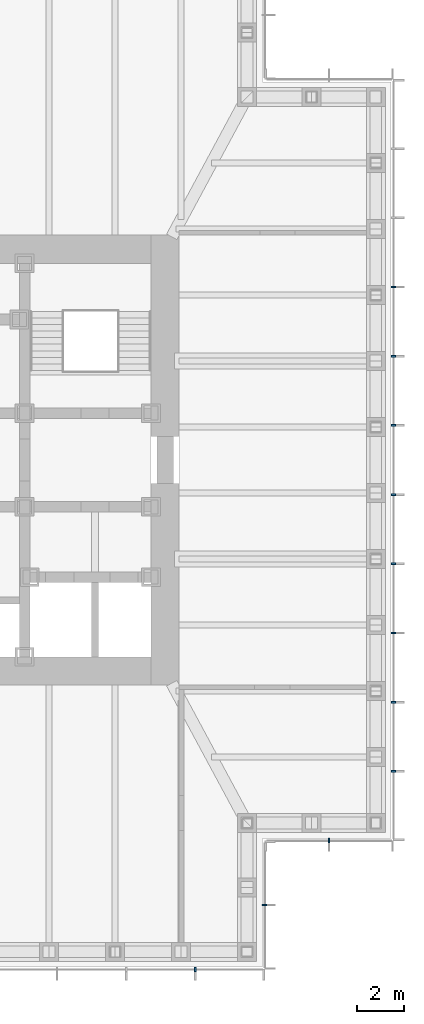
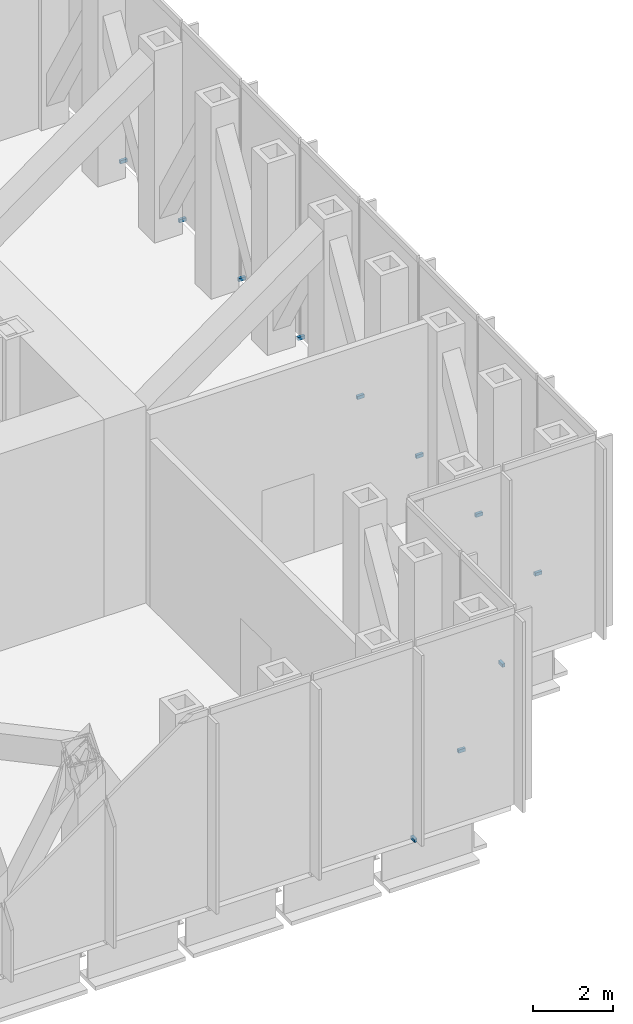
# One storey, part 10 of 12: 11 discrete accessories.
"""IFC4 building model written with IfcOpenShell, lengths in metres."""

from ifc_helpers import new_model, si_unit, direction, frame, origin, origin_2d, place, context, subcontext, project, spatial, rectangle, extrude, element, save


model = new_model("IFC4")

# Units and contexts
model_context = context("Model", 3, precision=1e-05, world=origin(), true_north=direction((0.0, 1.0)))
body_context = subcontext(model_context, "Body", "Model", "MODEL_VIEW")
ifc_project = project(units=[si_unit("LENGTHUNIT", "METRE"), si_unit("AREAUNIT", "SQUARE_METRE"), si_unit("VOLUMEUNIT", "CUBIC_METRE"), si_unit("PLANEANGLEUNIT", "RADIAN"), si_unit("MASSUNIT", "GRAM", prefix="KILO")], contexts=[model_context])

# Site, building, storey
site_placement = place(None, origin())
site = spatial("IfcSite", under=ifc_project, at=site_placement, CompositionType="ELEMENT")
building_placement = place(site_placement, origin())
building = spatial("IfcBuilding", under=site, at=building_placement, Name="Daluyong Arena Tower", CompositionType="ELEMENT")
storey_placement = place(building_placement, frame((0.0, 0.0, 244.300048828125)))
storey = spatial("IfcBuildingStorey", under=building, at=storey_placement, Name="L55", CompositionType="ELEMENT", Elevation=244.300048828125)

# Discrete accessories
for number, where, z_axis, x_axis, name in (
    (1, (69.29541015625, 58.25, -0.10009765625), (0.0, 0.0, 1.0), (1.0, 0.0, 0.0), "curtain wall L55 S anchor bracket 11"),
    (2, (72.25, 61.0, -0.10009765625), (0.0, 0.0, 1.0), (0.0, 1.0, 0.0), "curtain wall L55 SE-E anchor bracket 2"),
    (3, (75.0, 63.75, -0.10009765625), (0.0, 0.0, 1.0), (1.0, 0.0, 0.0), "curtain wall L55 SE-S anchor bracket 2"),
    (4, (77.75, 66.70458984375, -0.10009765625), (0.0, 0.0, 1.0), (0.0, 1.0, 0.0), "curtain wall L55 E anchor bracket 2"),
    (5, (77.75, 69.6591796875, -0.10009765625), (0.0, 0.0, 1.0), (0.0, 1.0, 0.0), "curtain wall L55 E anchor bracket 3"),
    (6, (77.75, 72.613525390625, -0.10009765625), (0.0, 0.0, 1.0), (0.0, 1.0, 0.0), "curtain wall L55 E anchor bracket 4"),
    (7, (77.75, 75.568115234375, -0.10009765625), (0.0, 0.0, 1.0), (0.0, 1.0, 0.0), "curtain wall L55 E anchor bracket 5"),
    (8, (77.75, 78.522705078125, -0.10009765625), (0.0, 0.0, 1.0), (0.0, 1.0, 0.0), "curtain wall L55 E anchor bracket 6"),
    (9, (77.75, 81.477294921875, -0.10009765625), (0.0, 0.0, 1.0), (0.0, 1.0, 0.0), "curtain wall L55 E anchor bracket 7"),
    (10, (77.75, 84.431884765625, -0.10009765625), (0.0, 0.0, 1.0), (0.0, 1.0, 0.0), "curtain wall L55 E anchor bracket 8"),
    (11, (77.75, 87.386474609375, -0.10009765625), (0.0, 0.0, 1.0), (0.0, 1.0, 0.0), "curtain wall L55 E anchor bracket 9"),
):
    element("IfcDiscreteAccessory", number, at=place(storey_placement, frame(where, z_axis=z_axis, x_axis=x_axis)), inside=storey, Name=name, PredefinedType="BRACKET", context=body_context, shape_type="SweptSolid", body=[
        extrude(rectangle(XDim=0.080078125, YDim=0.199951171875, at=origin_2d()), origin(), (0.0, 0.0, 1.0), 0.10009765625),
    ])

save(model, "model.ifc")
